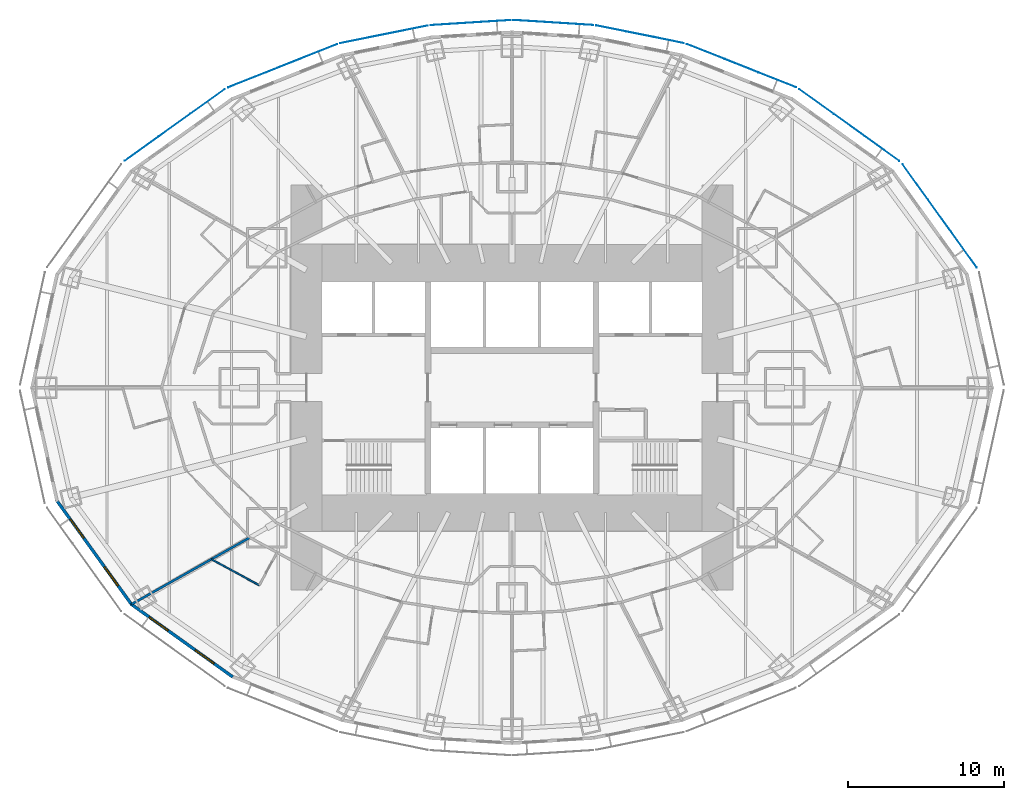
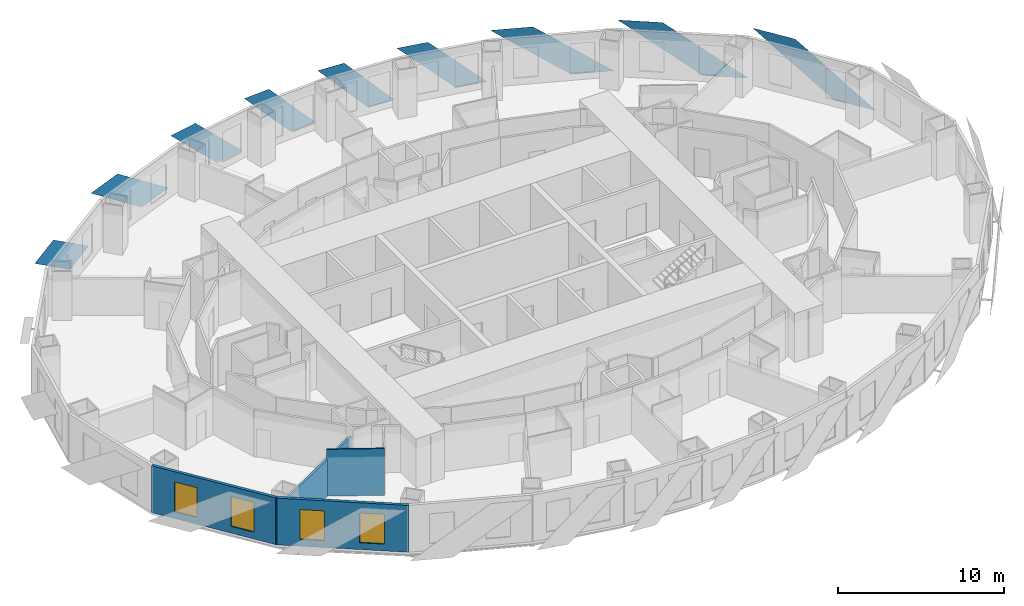
# One storey, part 4 of 15: 9 plates, 4 walls, 4 windows, 4 openings.
"""IFC4 building model written with IfcOpenShell, lengths in metres."""

from ifc_helpers import new_model, si_unit, direction, frame, frame_2d, origin, place, context, subcontext, project, spatial, polyline, rectangle, outline, extrude, material, layer, layer_set, type_object, element, fill, save


model = new_model("IFC4")

# Units and contexts
model_context = context("Model", 3, precision=1e-05, world=origin(), true_north=direction((0.0, 1.0)))
body_context = subcontext(model_context, "Body", "Model", "MODEL_VIEW")
ifc_project = project(units=[si_unit("LENGTHUNIT", "METRE"), si_unit("AREAUNIT", "SQUARE_METRE"), si_unit("VOLUMEUNIT", "CUBIC_METRE"), si_unit("PLANEANGLEUNIT", "RADIAN"), si_unit("MASSUNIT", "GRAM", prefix="KILO")], contexts=[model_context])

# Site, building, storey
site_placement = place(None, origin())
site = spatial("IfcSite", under=ifc_project, at=site_placement, CompositionType="ELEMENT")
building_placement = place(site_placement, origin())
building = spatial("IfcBuilding", under=site, at=building_placement, Name="Lantaw Convention Tower", CompositionType="ELEMENT")
storey_placement = place(building_placement, frame((0.0, 0.0, 91.0)))
storey = spatial("IfcBuildingStorey", under=building, at=storey_placement, Name="L21", CompositionType="ELEMENT", Elevation=91.0)

# Plates
ifc_material_1 = material(Name="Perforated aluminium sheet, pale silver finish", Category="aluminium")
ifc_layer_1 = layer(ifc_material_1, 0.006103515625)
ifc_layer_set_1 = layer_set([ifc_layer_1], Name="Perforated aluminium solar SCREEN panel")
plate_type = type_object("IfcPlateType", Name="Perforated aluminium solar SCREEN panel", PredefinedType="SHEET", material=ifc_layer_set_1)
plate_1_placement = place(storey_placement, frame((29.847900390625, 7.720947265625, -0.175048828125), z_axis=(0.811791382613, 0.583947558463, 9.019268e-06), x_axis=(-0.583947558486, 0.811791382646, 0.0)))
element("IfcPlate", 1, at=plate_1_placement, inside=storey, type_object=plate_type, Name="Solar SCREEN panel", PredefinedType="SHEET", context=body_context, shape_type="SweptSolid", body=[
    extrude(outline(polyline([(0.0, 0.0), (2.809541672291133, 0.0), (8.163093158837512, 3.739990234527119), (5.353551486546379, 3.739990234527119), (0.0, 0.0)])), origin(), (0.0, 0.0, -1.0), 0.006103515625),
])
plate_2_placement = place(storey_placement, frame((24.872314453125, 14.555908203125, -0.175048828125), z_axis=(0.582561421998, 0.812786681331, 1.5819417e-05), x_axis=(-0.812786681433, 0.582561422071, 0.0)))
element("IfcPlate", 2, at=plate_2_placement, inside=storey, type_object=plate_type, Name="Solar SCREEN panel", PredefinedType="SHEET", context=body_context, shape_type="SweptSolid", body=[
    extrude(outline(polyline([(0.0, 0.0), (2.721095180812288, 3.3881317890172014e-21), (7.903118572410756, 3.739990234842974), (5.182023391598468, 3.739990234842974), (0.0, 0.0)])), origin(), (0.0, 0.0, -1.0), 0.006103515625),
])
plate_3_placement = place(storey_placement, frame((18.232177734375, 19.278076171875, -0.175048828125), z_axis=(-0.369183532846, -0.929356508016, 9.163296e-06), x_axis=(-0.929356508055, 0.369183532862, 0.0)))
element("IfcPlate", 3, at=plate_3_placement, inside=storey, type_object=plate_type, Name="Solar SCREEN panel", PredefinedType="SHEET", context=body_context, shape_type="SweptSolid", body=[
    extrude(outline(polyline([(0.0, 0.0), (2.594936467166582, -1.6940658945086007e-21), (7.5321069917580825, -3.739990234532016), (4.937170524591499, -3.739990234532016), (0.0, 0.0)])), origin(), (0.0, 0.0, -1.0), 0.006103515625),
])
plate_4_placement = place(storey_placement, frame((11.03271484375, 22.117919921875, -0.175048828125), z_axis=(-0.197781876197, -0.980246055561, 2.418535e-06), x_axis=(-0.980246055563, 0.197781876198, 1.46e-10)))
element("IfcPlate", 4, at=plate_4_placement, inside=storey, type_object=plate_type, Name="Solar SCREEN panel", PredefinedType="SHEET", context=body_context, shape_type="SweptSolid", body=[
    extrude(outline(polyline([(0.0, 0.0), (1.9867801772236329, -3.1763735522036263e-22), (5.743587245978565, -3.7399902335493134), (3.7568553553458006, -3.739990234128105), (0.0, 0.0)])), origin(), (0.0, 0.0, -1.0), 0.006103515625),
])
plate_5_placement = place(storey_placement, frame((5.221923828125, 23.27783203125, -0.175048828125), z_axis=(-0.062923905251, -0.998018327468, 1.3605496e-05), x_axis=(-0.998018327561, 0.062923905257, 9.3e-10)))
element("IfcPlate", 5, at=plate_5_placement, inside=storey, type_object=plate_type, Name="Solar SCREEN panel", PredefinedType="SHEET", context=body_context, shape_type="SweptSolid", body=[
    extrude(outline(polyline([(0.0, 0.0), (1.7828375409377817, -2.117582368135751e-22), (5.143985963027618, -3.739990229938699), (3.3611637843713935, -3.7399902332537565), (0.0, 0.0)])), origin(), (0.0, 0.0, -1.0), 0.006103515625),
])
plate_6_placement = place(storey_placement, frame((-0.088134765625, 23.6015625, -0.175048828125), z_axis=(-0.062923905251, 0.998018327468, 1.3605496e-05), x_axis=(-0.998018327561, -0.062923905257, -9.3e-10)))
element("IfcPlate", 6, at=plate_6_placement, inside=storey, type_object=plate_type, Name="Solar SCREEN panel", PredefinedType="SHEET", context=body_context, shape_type="SweptSolid", body=[
    extrude(outline(polyline([(0.0, 0.0), (1.782822178656225, -2.117582368135751e-22), (5.143985956073316, 3.7399902395036517), (3.3611484151355353, 3.7399902361885653), (0.0, 0.0)])), origin(), (0.0, 0.0, -1.0), 0.006103515625),
])
plate_7_placement = place(storey_placement, frame((-5.402587890625, 23.25390625, -0.175048828125), z_axis=(-0.197781876197, 0.980246055561, 2.418535e-06), x_axis=(-0.980246055563, -0.197781876198, -1.46e-10)))
element("IfcPlate", 7, at=plate_7_placement, inside=storey, type_object=plate_type, Name="Solar SCREEN panel", PredefinedType="SHEET", context=body_context, shape_type="SweptSolid", body=[
    extrude(outline(polyline([(0.0, 0.0), (1.9867318906327642, 1.0587911840678754e-22), (5.743587244888999, 3.7399902352225842), (3.7568070676653664, 3.7399902346437783), (0.0, 0.0)])), origin(), (0.0, 0.0, -1.0), 0.006103515625),
])
plate_8_placement = place(storey_placement, frame((-11.232177734375, 22.058837890625, -0.175048828125), z_axis=(-0.369183532846, 0.929356508016, 9.163296e-06), x_axis=(-0.929356508055, -0.369183532862, 0.0)))
element("IfcPlate", 8, at=plate_8_placement, inside=storey, type_object=plate_type, Name="Solar SCREEN panel", PredefinedType="SHEET", context=body_context, shape_type="SweptSolid", body=[
    extrude(outline(polyline([(0.0, 0.0), (2.594936467166582, 1.6940658945086007e-21), (7.5321069917580825, 3.739990234532016), (4.937170524591499, 3.739990234532016), (0.0, 0.0)])), origin(), (0.0, 0.0, -1.0), 0.006103515625),
])
plate_9_placement = place(storey_placement, frame((-18.44873046875, 19.159912109375, -0.175048828125), z_axis=(0.582561421998, -0.812786681331, 1.5819417e-05), x_axis=(-0.812786681433, -0.582561422071, 0.0)))
element("IfcPlate", 9, at=plate_9_placement, inside=storey, type_object=plate_type, Name="Solar SCREEN panel", PredefinedType="SHEET", context=body_context, shape_type="SweptSolid", body=[
    extrude(outline(polyline([(0.0, 0.0), (2.721095180812288, -3.3881317890172014e-21), (7.903118572410756, -3.739990234842974), (5.182023391598468, -3.739990234842974), (0.0, 0.0)])), origin(), (0.0, 0.0, -1.0), 0.006103515625),
])

# Wall
ifc_material_2 = material(Name="Moisture resistant gypsum board on steel studs", Category="steel")
ifc_layer_2 = layer(ifc_material_2, 0.10009765625)
ifc_layer_set_2 = layer_set([ifc_layer_2], Name="Bathroom wall 100")
wall_type_1 = type_object("IfcWallType", Name="Bathroom wall 100", PredefinedType="PARTITIONING", material=ifc_layer_set_2)
wall_1_placement = place(storey_placement, frame((-16.224853515625, -12.683837890625, 0.0), z_axis=(0.0, 0.0, 1.0), x_axis=(-0.878473578893, 0.477790928322, 0.0)))
element("IfcWall", 10, at=wall_1_placement, inside=storey, type_object=wall_type_1, Name="Bathroom wall 100", PredefinedType="PARTITIONING", context=body_context, shape_type="SweptSolid", body=[
    extrude(rectangle(XDim=3.48291015625, YDim=0.10009765625, at=frame_2d((1.741455078125, 0.0))), origin(), (0.0, 0.0, 1.0), 3.449951171875),
])

# Wall, openings, windows
ifc_material_3 = material(Name="Insulated aluminium panel on steel frame", Category="steel")
ifc_layer_3 = layer(ifc_material_3, 0.199951171875)
ifc_layer_set_3 = layer_set([ifc_layer_3], Name="External wall 200")
wall_type_2 = type_object("IfcWallType", Name="External wall 200", PredefinedType="SOLIDWALL", material=ifc_layer_set_3)
wall_2_placement = place(storey_placement, frame((-29.260498046875, -7.199951171875, 0.0), z_axis=(0.0, 0.0, 1.0), x_axis=(0.583937613703, -0.811798536155, 0.0)))
wall_2 = element("IfcWall", 11, at=wall_2_placement, inside=storey, type_object=wall_type_2, Name="Facade panel wall", PredefinedType="SOLIDWALL", context=body_context, shape_type="SweptSolid", body=[
    extrude(rectangle(XDim=8.322998046875, YDim=0.199951171875, at=frame_2d((4.16162109375, 0.0))), origin(), (0.0, 0.0, 1.0), 3.449951171875),
])
opening_1_placement = place(wall_2_placement, frame((1.53076171875, 0.0, 0.5)))
opening_1 = element("IfcOpeningElement", 12, at=opening_1_placement, cuts=wall_2, Name="Opening W2", PredefinedType="OPENING", context=body_context, shape_type="SweptSolid", body=[
    extrude(rectangle(XDim=1.5, YDim=2.199951171875, at=frame_2d((0.75, 1.10009765625))), frame((0.0, 0.10986328125, 0.0), z_axis=(0.0, -1.0, 0.0), x_axis=(1.0, 0.0, 0.0)), (0.0, 0.0, 1.0), 0.219970703125),
])
opening_2_placement = place(wall_2_placement, frame((5.292236328125, 0.0, 0.5)))
opening_2 = element("IfcOpeningElement", 13, at=opening_2_placement, cuts=wall_2, Name="Opening W2", PredefinedType="OPENING", context=body_context, shape_type="SweptSolid", body=[
    extrude(rectangle(XDim=1.5, YDim=2.199951171875, at=frame_2d((0.75, 1.10009765625))), frame((0.0, 0.10986328125, 0.0), z_axis=(0.0, -1.0, 0.0), x_axis=(1.0, 0.0, 0.0)), (0.0, 0.0, 1.0), 0.219970703125),
])
ifc_material_4 = material(Name="Aluminium frame, clear insulating glass", Category="aluminium")
window_type = type_object("IfcWindowType", Name="Suite window 1500x2200", PartitioningType="SINGLE_PANEL", PredefinedType="WINDOW", material=ifc_material_4)
window_1_placement = place(opening_1_placement, origin())
window_1 = element("IfcWindow", 14, at=window_1_placement, inside=storey, type_object=window_type, Name="Guest room window", OverallHeight=2.199951171875, OverallWidth=1.5, PartitioningType="SINGLE_PANEL", PredefinedType="WINDOW", context=body_context, shape_type="SweptSolid", body=[
    extrude(rectangle(XDim=1.5, YDim=2.199951171875, at=frame_2d((0.75, 1.10009765625))), frame((0.0, 0.030029296875, 0.0), z_axis=(0.0, -1.0, 0.0), x_axis=(1.0, 0.0, 0.0)), (0.0, 0.0, 1.0), 0.06005859375),
])
fill(opening_1, window_1)
window_2_placement = place(opening_2_placement, origin())
window_2 = element("IfcWindow", 15, at=window_2_placement, inside=storey, type_object=window_type, Name="Guest room window", OverallHeight=2.199951171875, OverallWidth=1.5, PartitioningType="SINGLE_PANEL", PredefinedType="WINDOW", context=body_context, shape_type="SweptSolid", body=[
    extrude(rectangle(XDim=1.5, YDim=2.199951171875, at=frame_2d((0.75, 1.10009765625))), frame((0.0, 0.030029296875, 0.0), z_axis=(0.0, -1.0, 0.0), x_axis=(1.0, 0.0, 0.0)), (0.0, 0.0, 1.0), 0.06005859375),
])
fill(opening_2, window_2)

wall_3_placement = place(storey_placement, frame((-24.482421875, -13.87451171875, 0.0), z_axis=(0.0, 0.0, 1.0), x_axis=(0.812791321576, -0.582554948112, 0.0)))
wall_3 = element("IfcWall", 16, at=wall_3_placement, inside=storey, type_object=wall_type_2, Name="Facade panel wall", PredefinedType="SOLIDWALL", context=body_context, shape_type="SweptSolid", body=[
    extrude(rectangle(XDim=8.063232421875, YDim=0.199951171875, at=frame_2d((4.03173828125, 0.0))), origin(), (0.0, 0.0, 1.0), 3.449951171875),
])
opening_3_placement = place(wall_3_placement, frame((1.4658203125, 0.0, 0.5)))
opening_3 = element("IfcOpeningElement", 17, at=opening_3_placement, cuts=wall_3, Name="Opening W2", PredefinedType="OPENING", context=body_context, shape_type="SweptSolid", body=[
    extrude(rectangle(XDim=1.5, YDim=2.199951171875, at=frame_2d((0.75, 1.10009765625))), frame((0.0, 0.10986328125, 0.0), z_axis=(0.0, -1.0, 0.0), x_axis=(1.0, 0.0, 0.0)), (0.0, 0.0, 1.0), 0.219970703125),
])
opening_4_placement = place(wall_3_placement, frame((5.097412109375, 0.0, 0.5)))
opening_4 = element("IfcOpeningElement", 18, at=opening_4_placement, cuts=wall_3, Name="Opening W2", PredefinedType="OPENING", context=body_context, shape_type="SweptSolid", body=[
    extrude(rectangle(XDim=1.5, YDim=2.199951171875, at=frame_2d((0.75, 1.10009765625))), frame((0.0, 0.10986328125, 0.0), z_axis=(0.0, -1.0, 0.0), x_axis=(1.0, 0.0, 0.0)), (0.0, 0.0, 1.0), 0.219970703125),
])
window_3_placement = place(opening_3_placement, origin())
window_3 = element("IfcWindow", 19, at=window_3_placement, inside=storey, type_object=window_type, Name="Guest room window", OverallHeight=2.199951171875, OverallWidth=1.5, PartitioningType="SINGLE_PANEL", PredefinedType="WINDOW", context=body_context, shape_type="SweptSolid", body=[
    extrude(rectangle(XDim=1.5, YDim=2.199951171875, at=frame_2d((0.75, 1.10009765625))), frame((0.0, 0.030029296875, 0.0), z_axis=(0.0, -1.0, 0.0), x_axis=(1.0, 0.0, 0.0)), (0.0, 0.0, 1.0), 0.06005859375),
])
fill(opening_3, window_3)
window_4_placement = place(opening_4_placement, origin())
window_4 = element("IfcWindow", 20, at=window_4_placement, inside=storey, type_object=window_type, Name="Guest room window", OverallHeight=2.199951171875, OverallWidth=1.5, PartitioningType="SINGLE_PANEL", PredefinedType="WINDOW", context=body_context, shape_type="SweptSolid", body=[
    extrude(rectangle(XDim=1.5, YDim=2.199951171875, at=frame_2d((0.75, 1.10009765625))), frame((0.0, 0.030029296875, 0.0), z_axis=(0.0, -1.0, 0.0), x_axis=(1.0, 0.0, 0.0)), (0.0, 0.0, 1.0), 0.06005859375),
])
fill(opening_4, window_4)

# Wall
ifc_material_5 = material(Name="Gypsum board on steel studs, acoustic", Category="steel")
ifc_layer_4 = layer(ifc_material_5, 0.14990234375)
ifc_layer_set_4 = layer_set([ifc_layer_4], Name="Guest room party wall 150")
wall_type_3 = type_object("IfcWallType", Name="Guest room party wall 150", PredefinedType="PARTITIONING", material=ifc_layer_set_4)
wall_4_placement = place(storey_placement, frame((-24.434814453125, -13.90869140625, 0.0), z_axis=(0.0, 0.0, 1.0), x_axis=(0.87090601027, 0.491449612143, 0.0)))
element("IfcWall", 21, at=wall_4_placement, inside=storey, type_object=wall_type_3, Name="Guest room party wall 150", PredefinedType="PARTITIONING", context=body_context, shape_type="SweptSolid", body=[
    extrude(rectangle(XDim=8.726318359375, YDim=0.14990234375, at=frame_2d((4.36328125, 0.0))), origin(), (0.0, 0.0, 1.0), 2.693115234375),
])

save(model, "model.ifc")
